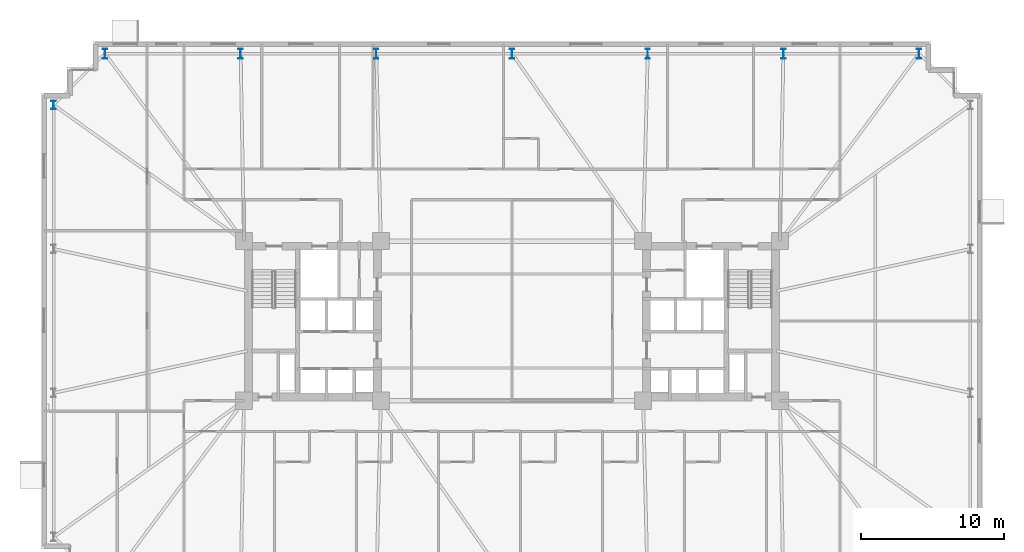
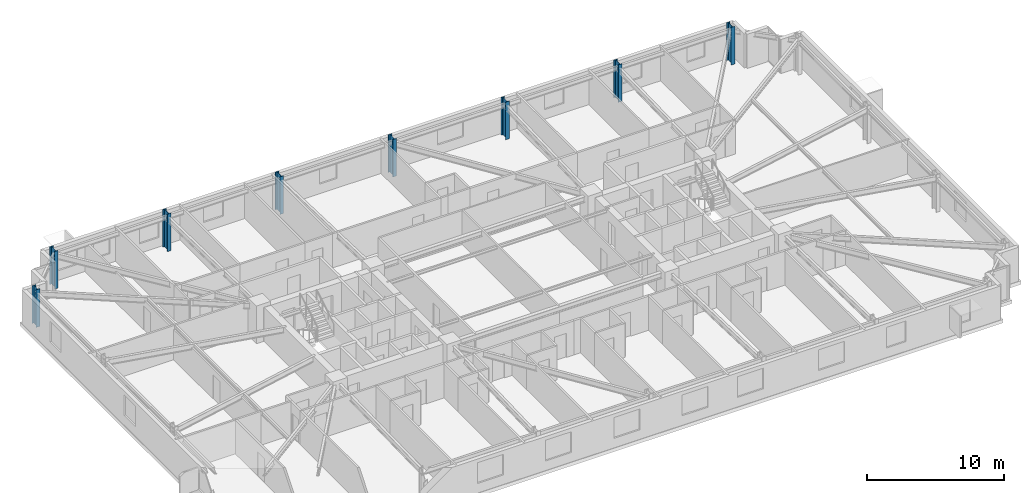
# One storey, part 2 of 20: 8 columns.
"""IFC4 building model written with IfcOpenShell, lengths in metres."""

from ifc_helpers import new_model, si_unit, direction, frame, origin, origin_2d, place, context, subcontext, project, spatial, i_section, extrude, material, material_profile, profile_set, type_object, element, save


model = new_model("IFC4")

# Units and contexts
model_context = context("Model", 3, precision=1e-05, world=origin(), true_north=direction((0.0, 1.0)))
body_context = subcontext(model_context, "Body", "Model", "MODEL_VIEW")
ifc_project = project(units=[si_unit("LENGTHUNIT", "METRE"), si_unit("AREAUNIT", "SQUARE_METRE"), si_unit("VOLUMEUNIT", "CUBIC_METRE"), si_unit("PLANEANGLEUNIT", "RADIAN"), si_unit("MASSUNIT", "GRAM", prefix="KILO")], contexts=[model_context])

# Site, building, storey
site_placement = place(None, origin())
site = spatial("IfcSite", under=ifc_project, at=site_placement, CompositionType="ELEMENT")
building_placement = place(site_placement, origin())
building = spatial("IfcBuilding", under=site, at=building_placement, Name="Qobustan Lattice House", CompositionType="ELEMENT")
storey_placement = place(building_placement, frame((0.0, 0.0, 67.199951171875)))
storey = spatial("IfcBuildingStorey", under=building, at=storey_placement, Name="L18", CompositionType="ELEMENT", Elevation=67.199951171875)

# Columns
ifc_material_1 = material(Name="Steel S460", Category="steel")
ifc_material_profile_1 = material_profile(ifc_material_1, i_section(OverallWidth=0.304931640625, OverallDepth=0.6201171875, WebThickness=0.02099609375, FlangeThickness=0.0400390625, FilletRadius=0.027099609375, at=origin_2d()), Name="HEM600")
ifc_profile_set_1 = profile_set([ifc_material_profile_1], Name="Steel S460")
column_type_1 = type_object("IfcColumnType", Name="COL-ST-HEM600", PredefinedType="COLUMN", material=ifc_profile_set_1)
column_placement = place(storey_placement, frame((-32.14990234375, 15.14990234375, 0.0), z_axis=(0.0, 0.0, 1.0), x_axis=(1.0, 0.0, 0.0)))
element("IfcColumn", 1, at=column_placement, inside=storey, type_object=column_type_1, Name="L18 B1 perimeter column W1", PredefinedType="COLUMN", context=body_context, shape_type="SweptSolid", body=[
    extrude(i_section(OverallWidth=0.304931640625, OverallDepth=0.6201171875, WebThickness=0.02099609375, FlangeThickness=0.0400390625, FilletRadius=0.027099609375, at=origin_2d()), origin(), (0.0, 0.0, 1.0), 3.35009765625),
])
ifc_material_2 = material(Name="Steel S460", Category="steel")
ifc_material_profile_2 = material_profile(ifc_material_2, i_section(OverallWidth=0.303955078125, OverallDepth=0.716064453125, WebThickness=0.02099609375, FlangeThickness=0.0400390625, FilletRadius=0.027099609375, at=origin_2d()), Name="HEM700")
ifc_profile_set_2 = profile_set([ifc_material_profile_2], Name="Steel S460")
column_type_2 = type_object("IfcColumnType", Name="COL-ST-HEM700", PredefinedType="COLUMN", material=ifc_profile_set_2)
for number, where, z_axis, x_axis, name in (
    (2, (28.550048828125, 18.75, 0.0), (0.0, 0.0, 1.0), (1.0, 0.0, 0.0), "L18 B1 perimeter column N1"),
    (3, (19.033203125, 18.75, 0.0), (0.0, 0.0, 1.0), (1.0, 0.0, 0.0), "L18 B1 perimeter column N2"),
    (4, (9.5166015625, 18.75, 0.0), (0.0, 0.0, 1.0), (1.0, 0.0, 0.0), "L18 B1 perimeter column N3"),
    (5, (0.0, 18.75, 0.0), (0.0, 0.0, 1.0), (1.0, 0.0, 0.0), "L18 B1 perimeter column N4"),
    (6, (-9.5166015625, 18.75, 0.0), (0.0, 0.0, 1.0), (1.0, 0.0, 0.0), "L18 B1 perimeter column N5"),
    (7, (-19.033203125, 18.75, 0.0), (0.0, 0.0, 1.0), (1.0, 0.0, 0.0), "L18 B1 perimeter column N6"),
    (8, (-28.550048828125, 18.75, 0.0), (0.0, 0.0, 1.0), (1.0, 0.0, 0.0), "L18 B1 perimeter column N7"),
):
    element("IfcColumn", number, at=place(storey_placement, frame(where, z_axis=z_axis, x_axis=x_axis)), inside=storey, type_object=column_type_2, Name=name, PredefinedType="COLUMN", context=body_context, shape_type="SweptSolid", body=[
        extrude(i_section(OverallWidth=0.303955078125, OverallDepth=0.716064453125, WebThickness=0.02099609375, FlangeThickness=0.0400390625, FilletRadius=0.027099609375, at=origin_2d()), origin(), (0.0, 0.0, 1.0), 3.35009765625),
    ])

save(model, "model.ifc")
